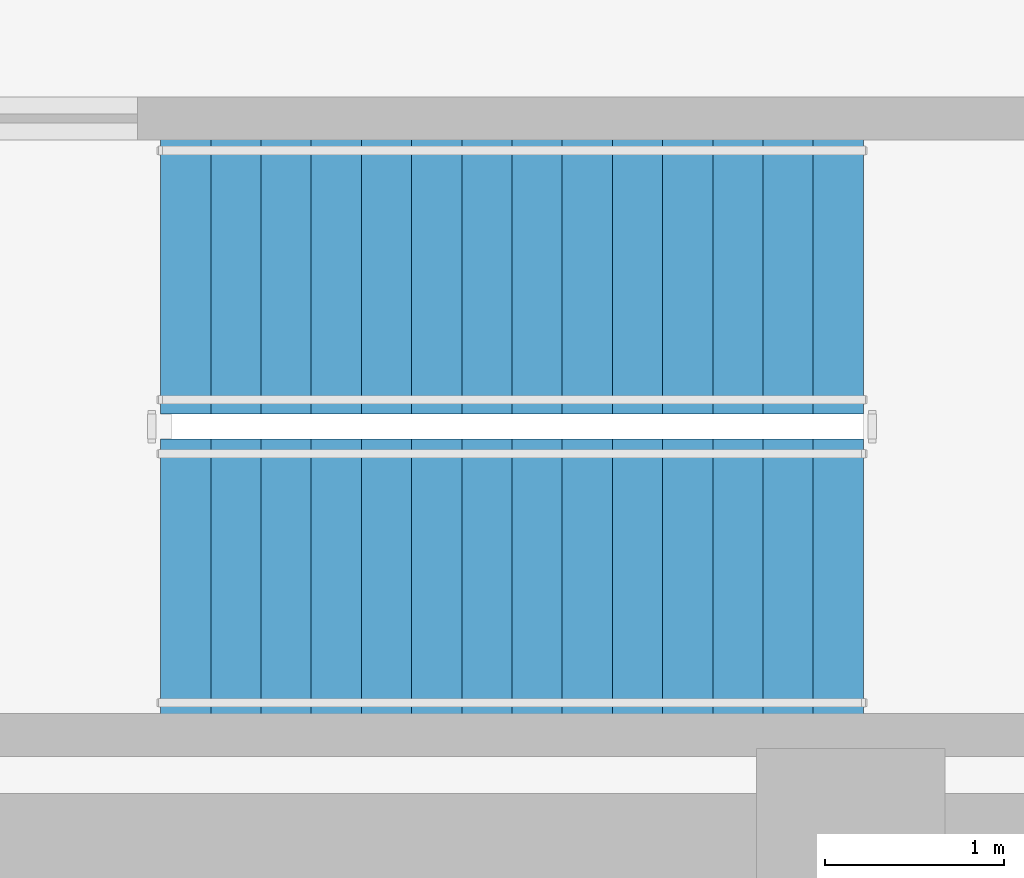
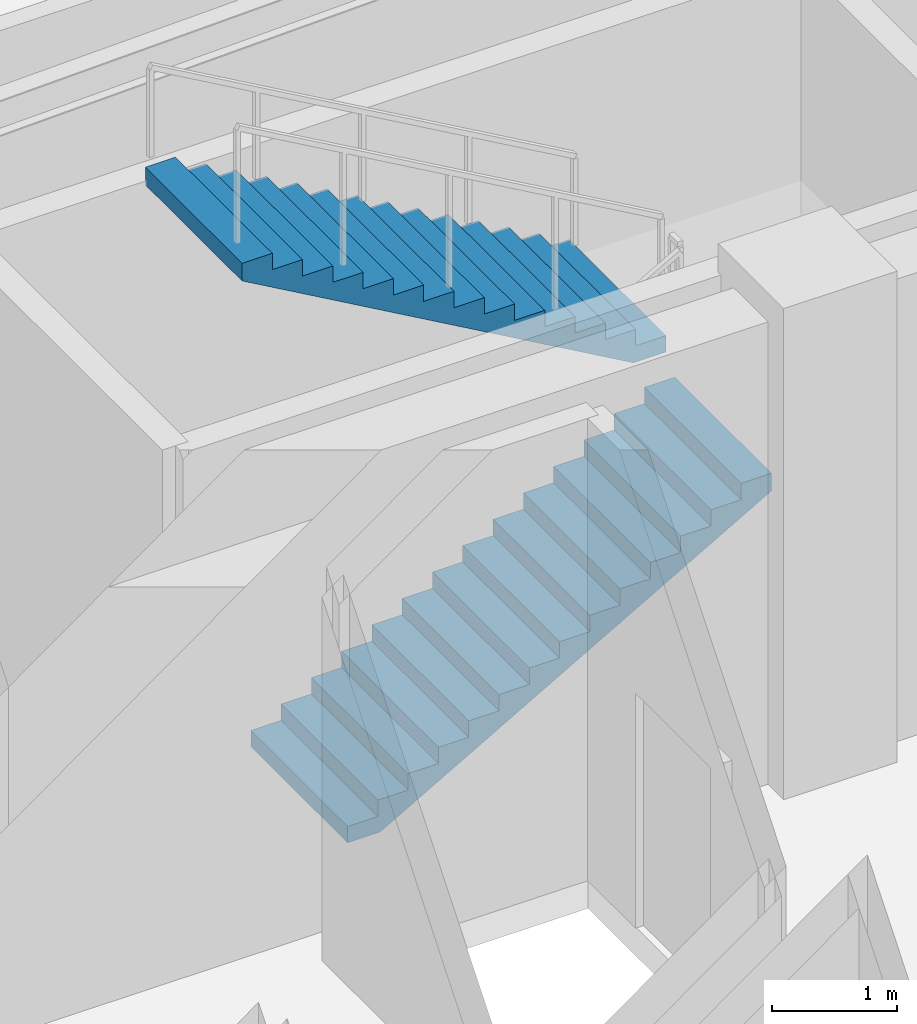
# One storey, part 37 of 40: 2 stair flights, 1 element without a shape of its own.
"""IFC4 building model written with IfcOpenShell, lengths in metres."""

from ifc_helpers import new_model, si_unit, direction, frame, origin, place, context, subcontext, project, spatial, polyline, outline, extrude, material, type_object, element, aggregate, save


model = new_model("IFC4")

# Units and contexts
model_context = context("Model", 3, precision=1e-05, world=origin(), true_north=direction((0.0, 1.0)))
body_context = subcontext(model_context, "Body", "Model", "MODEL_VIEW")
ifc_project = project(units=[si_unit("LENGTHUNIT", "METRE"), si_unit("AREAUNIT", "SQUARE_METRE"), si_unit("VOLUMEUNIT", "CUBIC_METRE"), si_unit("PLANEANGLEUNIT", "RADIAN"), si_unit("MASSUNIT", "GRAM", prefix="KILO")], contexts=[model_context])

# Site, building, storey
site_placement = place(None, origin())
site = spatial("IfcSite", under=ifc_project, at=site_placement, CompositionType="ELEMENT")
building_placement = place(site_placement, origin())
building = spatial("IfcBuilding", under=site, at=building_placement, Name="Liaohun Quay Tower", CompositionType="ELEMENT")
storey_placement = place(building_placement, frame((0.0, 0.0, 351.0)))
storey = spatial("IfcBuildingStorey", under=building, at=storey_placement, Name="L91", CompositionType="ELEMENT", Elevation=351.0)

# Stair, stair flights
ifc_material = material(Name="Concrete C45", Category="concrete")
stair_type = type_object("IfcStairType", Name="STR-CORE-CRN", PredefinedType="HALF_TURN_STAIR", material=ifc_material)
stair_placement = place(storey_placement, origin())
stair = element("IfcStair", 1, at=stair_placement, inside=storey, type_object=stair_type, Name="L91 Smokeproof Core Exit Stair ST-3", PredefinedType="HALF_TURN_STAIR")
stair_flight_type = type_object("IfcStairFlightType", Name="FLT-CORE-155", PredefinedType="STRAIGHT", material=ifc_material)
stair_flight_1_placement = place(storey_placement, frame((56.14990234375, 62.97509765625, 0.0), z_axis=(0.0, 0.0, 1.0), x_axis=(1.0, 0.0, 0.0)))
stair_flight_1 = element("IfcStairFlight", 2, at=stair_flight_1_placement, type_object=stair_flight_type, Name="ST-3 flight 1", NumberOfRisers=15, NumberOfTreads=14, PredefinedType="STRAIGHT", RiserHeight=0.16, TreadLength=0.28, context=body_context, shape_type="SweptSolid", body=[
    extrude(outline(polyline([(0.0, 0.0), (0.0, 0.159912109375), (0.280029296875, 0.159912109375), (0.280029296875, 0.320068359375), (0.56005859375, 0.320068359375), (0.56005859375, 0.47998046875), (0.840087890625, 0.47998046875), (0.840087890625, 0.639892578125), (1.1201171875, 0.639892578125), (1.1201171875, 0.800048828125), (1.39990234375, 0.800048828125), (1.39990234375, 0.9599609375), (1.679931640625, 0.9599609375), (1.679931640625, 1.1201171875), (1.9599609375, 1.1201171875), (1.9599609375, 1.280029296875), (2.239990234375, 1.280029296875), (2.239990234375, 1.43994140625), (2.52001953125, 1.43994140625), (2.52001953125, 1.60009765625), (2.800048828125, 1.60009765625), (2.800048828125, 1.760009765625), (3.080078125, 1.760009765625), (3.080078125, 1.919921875), (3.360107421875, 1.919921875), (3.360107421875, 2.080078125), (3.639892578125, 2.080078125), (3.639892578125, 2.239990234375), (3.919921875, 2.239990234375), (3.919921875, 2.39990234375), (3.919921875, 2.0673828125), (0.30224609375, 0.0), (0.0, 0.0)])), frame((0.0, 0.77490234375, 0.0), z_axis=(0.0, -1.0, 0.0), x_axis=(1.0, 0.0, 0.0)), (0.0, 0.0, 1.0), 1.550048828125),
])
stair_flight_2_placement = place(storey_placement, frame((60.070068359375, 64.6650390625, 2.39990234375), z_axis=(0.0, 0.0, 1.0), x_axis=(-1.0, 0.0, 0.0)))
stair_flight_2 = element("IfcStairFlight", 3, at=stair_flight_2_placement, type_object=stair_flight_type, Name="ST-3 flight 2", NumberOfRisers=15, NumberOfTreads=14, PredefinedType="STRAIGHT", RiserHeight=0.16, TreadLength=0.28, context=body_context, shape_type="SweptSolid", body=[
    extrude(outline(polyline([(0.0, 0.0), (0.0, 0.159912109375), (0.280029296875, 0.159912109375), (0.280029296875, 0.320068359375), (0.56005859375, 0.320068359375), (0.56005859375, 0.47998046875), (0.840087890625, 0.47998046875), (0.840087890625, 0.639892578125), (1.1201171875, 0.639892578125), (1.1201171875, 0.800048828125), (1.39990234375, 0.800048828125), (1.39990234375, 0.9599609375), (1.679931640625, 0.9599609375), (1.679931640625, 1.1201171875), (1.9599609375, 1.1201171875), (1.9599609375, 1.280029296875), (2.239990234375, 1.280029296875), (2.239990234375, 1.43994140625), (2.52001953125, 1.43994140625), (2.52001953125, 1.60009765625), (2.800048828125, 1.60009765625), (2.800048828125, 1.760009765625), (3.080078125, 1.760009765625), (3.080078125, 1.919921875), (3.360107421875, 1.919921875), (3.360107421875, 2.080078125), (3.639892578125, 2.080078125), (3.639892578125, 2.239990234375), (3.919921875, 2.239990234375), (3.919921875, 2.39990234375), (3.919921875, 2.0673828125), (0.30224609375, 0.0), (0.0, 0.0)])), frame((0.0, 0.77490234375, 0.0), z_axis=(0.0, -1.0, 0.0), x_axis=(1.0, 0.0, 0.0)), (0.0, 0.0, 1.0), 1.550048828125),
])
aggregate(stair, [stair_flight_1, stair_flight_2])

save(model, "model.ifc")
